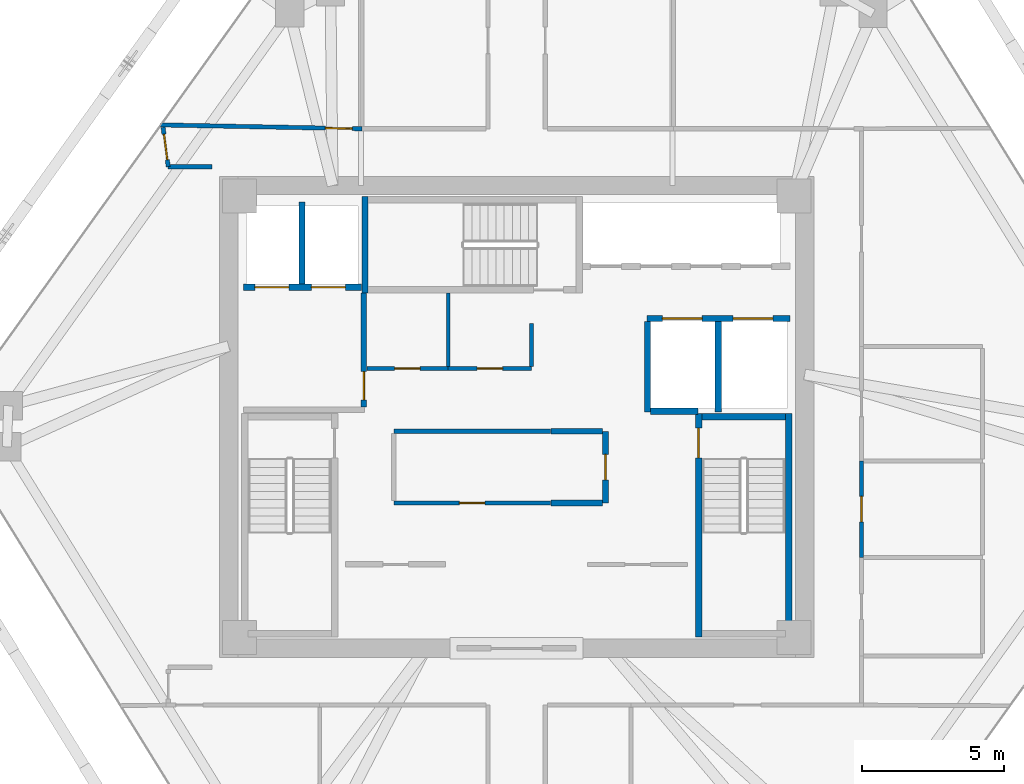
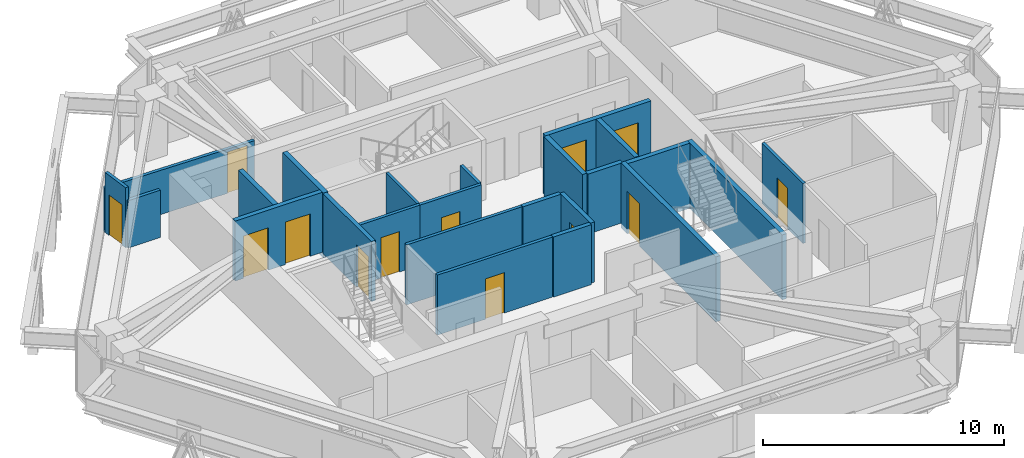
# One storey, part 11 of 14: 24 walls, 13 doors, 13 openings.
"""IFC4 building model written with IfcOpenShell, lengths in metres."""

from ifc_helpers import new_model, si_unit, direction, frame, frame_2d, origin, place, context, subcontext, project, spatial, rectangle, extrude, source, transform, mapped, material, layer, layer_set, type_object, type_shapes, element, fill, save


model = new_model("IFC4")

# Units and contexts
model_context = context("Model", 3, precision=1e-05, world=origin(), true_north=direction((0.0, 1.0)))
body_context = subcontext(model_context, "Body", "Model", "MODEL_VIEW")
ifc_project = project(units=[si_unit("LENGTHUNIT", "METRE"), si_unit("AREAUNIT", "SQUARE_METRE"), si_unit("VOLUMEUNIT", "CUBIC_METRE"), si_unit("PLANEANGLEUNIT", "RADIAN"), si_unit("MASSUNIT", "GRAM", prefix="KILO")], contexts=[model_context])

# Site, building, storey
site_placement = place(None, origin())
site = spatial("IfcSite", under=ifc_project, at=site_placement, CompositionType="ELEMENT")
building_placement = place(site_placement, origin())
building = spatial("IfcBuilding", under=site, at=building_placement, Name="Durnholm Broadcast Tower", CompositionType="ELEMENT")
storey_placement = place(building_placement, frame((0.0, 0.0, 187.0)))
storey = spatial("IfcBuildingStorey", under=building, at=storey_placement, Name="L51", CompositionType="ELEMENT", Elevation=187.0)

# Wall, opening, door
ifc_material_1 = material(Name="Fire-Rated Gypsum Shaftwall", Category="concrete")
ifc_layer_1 = layer(ifc_material_1, 0.199951171875)
ifc_layer_set_1 = layer_set([ifc_layer_1], Name="Fire-Rated Gypsum Shaftwall")
wall_type_1 = type_object("IfcWallType", Name="WALL-LOB-200", PredefinedType="SOLIDWALL", material=ifc_layer_set_1)
wall_1_placement = place(storey_placement, frame((-5.39990234375, 0.35400390625, 0.0), z_axis=(0.0, 0.0, 1.0), x_axis=(0.0, 1.0, 0.0)))
wall_1 = element("IfcWall", 1, at=wall_1_placement, inside=storey, type_object=wall_type_1, Name="L51 Fire Service Access Elevator lobby east fire wall", PredefinedType="SOLIDWALL", context=body_context, shape_type="SweptSolid", body=[
    extrude(rectangle(XDim=4.02587890625, YDim=0.199951171875, at=frame_2d((2.012939453125, 0.0))), origin(), (0.0, 0.0, 1.0), 3.044921875),
])
opening_1_placement = place(wall_1_placement, frame((0.24609375, 0.0, 0.0)))
opening_1 = element("IfcOpeningElement", 2, at=opening_1_placement, cuts=wall_1, Name="Opening DL-60R", PredefinedType="OPENING", context=body_context, shape_type="SweptSolid", body=[
    extrude(rectangle(XDim=1.0, YDim=2.14990234375, at=frame_2d((0.5, 1.074951171875))), frame((0.0, 0.10986328125, 0.0), z_axis=(0.0, -1.0, 0.0), x_axis=(1.0, 0.0, 0.0)), (0.0, 0.0, 1.0), 0.219970703125),
])
ifc_material_2 = material(Name="Fire-Rated Timber/Steel Door", Category="steel")
ifc_layer_2 = layer(ifc_material_2, 0.050048828125)
ifc_layer_set_2 = layer_set([ifc_layer_2], Name="Fire-Rated Timber/Steel Door")
door_type_1 = type_object("IfcDoorType", Name="DOOR-LOB-FD60-R", OperationType="NOTDEFINED", PredefinedType="DOOR", material=ifc_layer_set_2)
shared_shape_1 = source(origin(), body_context, "Body", "SweptSolid", [
    extrude(rectangle(XDim=1.0, YDim=2.14990234375, at=frame_2d((0.5, 1.074951171875))), frame((0.0, 0.02490234375, 0.0), z_axis=(0.0, -1.0, 0.0), x_axis=(1.0, 0.0, 0.0)), (0.0, 0.0, 1.0), 0.050048828125),
])
type_shapes(door_type_1, [shared_shape_1])
door_1_placement = place(opening_1_placement, origin())
door_1 = element("IfcDoor", 3, at=door_1_placement, inside=storey, type_object=door_type_1, Name="L51 Fire Service Access Elevator lobby smoke door", OperationType="SINGLE_SWING_RIGHT", OverallHeight=2.14990234375, OverallWidth=1.0, PredefinedType="DOOR", context=body_context, shape_type="MappedRepresentation", body=[
    mapped(shared_shape_1, transform((0.0, 0.0, 0.0), x_axis=(1.0, 0.0, 0.0), y_axis=(0.0, 1.0, 0.0), z_axis=(0.0, 0.0, 1.0), scale=1.0)),
])
fill(opening_1, door_1)

wall_2_placement = place(storey_placement, frame((3.139892578125, -0.510009765625, 0.0), z_axis=(0.0, 0.0, 1.0), x_axis=(0.0, -1.0, 0.0)))
wall_2 = element("IfcWall", 4, at=wall_2_placement, inside=storey, type_object=wall_type_1, Name="L51 Core IT Telecom Room corridor partition", PredefinedType="SOLIDWALL", context=body_context, shape_type="SweptSolid", body=[
    extrude(rectangle(XDim=2.530029296875, YDim=0.199951171875, at=frame_2d((1.26513671875, 0.0))), origin(), (0.0, 0.0, 1.0), 3.044921875),
])
opening_2_placement = place(wall_2_placement, frame((0.81494140625, 0.0, 0.0)))
opening_2 = element("IfcOpeningElement", 5, at=opening_2_placement, cuts=wall_2, Name="Opening DC-60L", PredefinedType="OPENING", context=body_context, shape_type="SweptSolid", body=[
    extrude(rectangle(XDim=0.89990234375, YDim=2.050048828125, at=frame_2d((0.449951171875, 1.02490234375))), frame((0.0, 0.10986328125, 0.0), z_axis=(0.0, -1.0, 0.0), x_axis=(1.0, 0.0, 0.0)), (0.0, 0.0, 1.0), 0.219970703125),
])
ifc_material_3 = material(Name="Fire-Rated Core Service Door", Category="steel")
ifc_layer_3 = layer(ifc_material_3, 0.050048828125)
ifc_layer_set_3 = layer_set([ifc_layer_3], Name="Fire-Rated Core Service Door")
door_type_2 = type_object("IfcDoorType", Name="DOOR-CORE-FD60-L", OperationType="NOTDEFINED", PredefinedType="DOOR", material=ifc_layer_set_3)
shared_shape_2 = source(origin(), body_context, "Body", "SweptSolid", [
    extrude(rectangle(XDim=0.89990234375, YDim=2.050048828125, at=frame_2d((0.449951171875, 1.02490234375))), frame((0.0, 0.02490234375, 0.0), z_axis=(0.0, -1.0, 0.0), x_axis=(1.0, 0.0, 0.0)), (0.0, 0.0, 1.0), 0.050048828125),
])
type_shapes(door_type_2, [shared_shape_2])
door_2_placement = place(opening_2_placement, origin())
door_2 = element("IfcDoor", 6, at=door_2_placement, inside=storey, type_object=door_type_2, Name="L51 Core IT Telecom Room entrance door", OperationType="SINGLE_SWING_LEFT", OverallHeight=2.050048828125, OverallWidth=0.89990234375, PredefinedType="DOOR", context=body_context, shape_type="MappedRepresentation", body=[
    mapped(shared_shape_2, transform((0.0, 0.0, 0.0), x_axis=(1.0, 0.0, 0.0), y_axis=(0.0, 1.0, 0.0), z_axis=(0.0, 0.0, 1.0), scale=1.0)),
])
fill(opening_2, door_2)

# Walls
for number, where, z_axis, x_axis, name in (
    (7, (3.035888671875, -3.0400390625, 0.0), (0.0, 0.0, 1.0), (-1.0, 0.0, 0.0), "L51 Core IT Telecom Room corridor partition"),
    (8, (1.2099609375, -0.510009765625, 0.0), (0.0, 0.0, 1.0), (1.0, 0.0, 0.0), "L51 Core IT Telecom Room corridor partition"),
):
    element("IfcWall", number, at=place(storey_placement, frame(where, z_axis=z_axis, x_axis=x_axis)), inside=storey, type_object=wall_type_1, Name=name, PredefinedType="SOLIDWALL", context=body_context, shape_type="SweptSolid", body=[
        extrude(rectangle(XDim=1.825927734375, YDim=0.199951171875, at=frame_2d((0.9130859375, 0.0))), origin(), (0.0, 0.0, 1.0), 3.044921875),
    ])
ifc_material_4 = material(Name="Gypsum Metal Stud Partition", Category="concrete")
ifc_layer_4 = layer(ifc_material_4, 0.135009765625)
ifc_layer_set_4 = layer_set([ifc_layer_4], Name="Gypsum Metal Stud Partition")
wall_type_2 = type_object("IfcWallType", Name="WALL-PART-135", PredefinedType="PARTITIONING", material=ifc_layer_set_4)
wall_3_placement = place(storey_placement, frame((-2.419921875, 4.375, 0.0), z_axis=(0.0, 0.0, 1.0), x_axis=(0.0, -1.0, 0.0)))
element("IfcWall", 9, at=wall_3_placement, inside=storey, type_object=wall_type_2, Name="L51 room dividing partition 5.6", PredefinedType="PARTITIONING", context=body_context, shape_type="SweptSolid", body=[
    extrude(rectangle(XDim=2.5859375, YDim=0.135009765625, at=frame_2d((1.29296875, 0.0))), origin(), (0.0, 0.0, 1.0), 3.044921875),
])

# Wall, opening, door
ifc_material_5 = material(Name="Acoustic Gypsum Stud Partition", Category="concrete")
ifc_layer_5 = layer(ifc_material_5, 0.14990234375)
ifc_layer_set_5 = layer_set([ifc_layer_5], Name="Acoustic Gypsum Stud Partition")
wall_type_3 = type_object("IfcWallType", Name="WALL-PART-150", PredefinedType="PARTITIONING", material=ifc_layer_set_5)
wall_4_placement = place(storey_placement, frame((1.18994140625, -3.0400390625, 0.0), z_axis=(0.0, 0.0, 1.0), x_axis=(-1.0, 0.0, 0.0)))
wall_4 = element("IfcWall", 10, at=wall_4_placement, inside=storey, type_object=wall_type_3, Name="L51 Broadcast Equipment Store corridor partition", PredefinedType="PARTITIONING", context=body_context, shape_type="SweptSolid", body=[
    extrude(rectangle(XDim=5.530029296875, YDim=0.14990234375, at=frame_2d((2.76513671875, 0.0))), origin(), (0.0, 0.0, 1.0), 3.044921875),
])
opening_3_placement = place(wall_4_placement, frame((2.31494140625, 0.0, 0.0)))
opening_3 = element("IfcOpeningElement", 11, at=opening_3_placement, cuts=wall_4, Name="Opening DC-60R", PredefinedType="OPENING", context=body_context, shape_type="SweptSolid", body=[
    extrude(rectangle(XDim=0.89990234375, YDim=2.050048828125, at=frame_2d((0.449951171875, 1.02490234375))), frame((0.0, 0.0849609375, 0.0), z_axis=(0.0, -1.0, 0.0), x_axis=(1.0, 0.0, 0.0)), (0.0, 0.0, 1.0), 0.169921875),
])
ifc_layer_6 = layer(ifc_material_3, 0.050048828125)
ifc_layer_set_6 = layer_set([ifc_layer_6], Name="Fire-Rated Core Service Door")
door_type_3 = type_object("IfcDoorType", Name="DOOR-CORE-FD60-R", OperationType="NOTDEFINED", PredefinedType="DOOR", material=ifc_layer_set_6)
shared_shape_3 = source(origin(), body_context, "Body", "SweptSolid", [
    extrude(rectangle(XDim=0.89990234375, YDim=2.050048828125, at=frame_2d((0.449951171875, 1.02490234375))), frame((0.0, 0.02490234375, 0.0), z_axis=(0.0, -1.0, 0.0), x_axis=(1.0, 0.0, 0.0)), (0.0, 0.0, 1.0), 0.050048828125),
])
type_shapes(door_type_3, [shared_shape_3])
door_3_placement = place(opening_3_placement, origin())
door_3 = element("IfcDoor", 12, at=door_3_placement, inside=storey, type_object=door_type_3, Name="L51 Broadcast Equipment Store entrance door", OperationType="SINGLE_SWING_RIGHT", OverallHeight=2.050048828125, OverallWidth=0.89990234375, PredefinedType="DOOR", context=body_context, shape_type="MappedRepresentation", body=[
    mapped(shared_shape_3, transform((0.0, 0.0, 0.0), x_axis=(1.0, 0.0, 0.0), y_axis=(0.0, 1.0, 0.0), z_axis=(0.0, 0.0, 1.0), scale=1.0)),
])
fill(opening_3, door_3)

# Wall
wall_5_placement = place(storey_placement, frame((-4.340087890625, -0.510009765625, 0.0), z_axis=(0.0, 0.0, 1.0), x_axis=(1.0, 0.0, 0.0)))
element("IfcWall", 13, at=wall_5_placement, inside=storey, type_object=wall_type_3, Name="L51 Broadcast Equipment Store corridor partition", PredefinedType="PARTITIONING", context=body_context, shape_type="SweptSolid", body=[
    extrude(rectangle(XDim=5.530029296875, YDim=0.14990234375, at=frame_2d((2.76513671875, 0.0))), origin(), (0.0, 0.0, 1.0), 3.044921875),
])

# Wall, opening, door
wall_6_placement = place(storey_placement, frame((-2.419921875, 1.7099609375, 0.0), z_axis=(0.0, 0.0, 1.0), x_axis=(-1.0, 0.0, 0.0)))
wall_6 = element("IfcWall", 14, at=wall_6_placement, inside=storey, type_object=wall_type_3, Name="L51 Core Equipment Store corridor partition", PredefinedType="PARTITIONING", context=body_context, shape_type="SweptSolid", body=[
    extrude(rectangle(XDim=2.8759765625, YDim=0.14990234375, at=frame_2d((1.43798828125, 0.0))), origin(), (0.0, 0.0, 1.0), 3.044921875),
])
opening_4_placement = place(wall_6_placement, frame((0.988037109375, 0.0, 0.0)))
opening_4 = element("IfcOpeningElement", 15, at=opening_4_placement, cuts=wall_6, Name="Opening DC-60R", PredefinedType="OPENING", context=body_context, shape_type="SweptSolid", body=[
    extrude(rectangle(XDim=0.89990234375, YDim=2.050048828125, at=frame_2d((0.449951171875, 1.02490234375))), frame((0.0, 0.0849609375, 0.0), z_axis=(0.0, -1.0, 0.0), x_axis=(1.0, 0.0, 0.0)), (0.0, 0.0, 1.0), 0.169921875),
])
door_4_placement = place(opening_4_placement, origin())
door_4 = element("IfcDoor", 16, at=door_4_placement, inside=storey, type_object=door_type_3, Name="L51 Core Equipment Store entrance door", OperationType="SINGLE_SWING_RIGHT", OverallHeight=2.050048828125, OverallWidth=0.89990234375, PredefinedType="DOOR", context=body_context, shape_type="MappedRepresentation", body=[
    mapped(shared_shape_3, transform((0.0, 0.0, 0.0), x_axis=(1.0, 0.0, 0.0), y_axis=(0.0, 1.0, 0.0), z_axis=(0.0, 0.0, 1.0), scale=1.0)),
])
fill(opening_4, door_4)

wall_7_placement = place(storey_placement, frame((0.52001953125, 1.7099609375, 0.0), z_axis=(0.0, 0.0, 1.0), x_axis=(-1.0, 0.0, 0.0)))
wall_7 = element("IfcWall", 17, at=wall_7_placement, inside=storey, type_object=wall_type_3, Name="L51 Core Mail and Supply Room corridor partition", PredefinedType="PARTITIONING", context=body_context, shape_type="SweptSolid", body=[
    extrude(rectangle(XDim=2.93994140625, YDim=0.14990234375, at=frame_2d((1.469970703125, 0.0))), origin(), (0.0, 0.0, 1.0), 3.044921875),
])
opening_5_placement = place(wall_7_placement, frame((1.02001953125, 0.0, 0.0)))
opening_5 = element("IfcOpeningElement", 18, at=opening_5_placement, cuts=wall_7, Name="Opening DC-60L", PredefinedType="OPENING", context=body_context, shape_type="SweptSolid", body=[
    extrude(rectangle(XDim=0.89990234375, YDim=2.050048828125, at=frame_2d((0.449951171875, 1.02490234375))), frame((0.0, 0.0849609375, 0.0), z_axis=(0.0, -1.0, 0.0), x_axis=(1.0, 0.0, 0.0)), (0.0, 0.0, 1.0), 0.169921875),
])
door_5_placement = place(opening_5_placement, origin())
door_5 = element("IfcDoor", 19, at=door_5_placement, inside=storey, type_object=door_type_2, Name="L51 Core Mail and Supply Room entrance door", OperationType="SINGLE_SWING_LEFT", OverallHeight=2.050048828125, OverallWidth=0.89990234375, PredefinedType="DOOR", context=body_context, shape_type="MappedRepresentation", body=[
    mapped(shared_shape_2, transform((0.0, 0.0, 0.0), x_axis=(1.0, 0.0, 0.0), y_axis=(0.0, 1.0, 0.0), z_axis=(0.0, 0.0, 1.0), scale=1.0)),
])
fill(opening_5, door_5)

# Wall
wall_8_placement = place(storey_placement, frame((0.52001953125, 3.300048828125, 0.0), z_axis=(0.0, 0.0, 1.0), x_axis=(0.0, -1.0, 0.0)))
element("IfcWall", 20, at=wall_8_placement, inside=storey, type_object=wall_type_3, Name="L51 Core Mail and Supply Room corridor partition", PredefinedType="PARTITIONING", context=body_context, shape_type="SweptSolid", body=[
    extrude(rectangle(XDim=1.510986328125, YDim=0.14990234375, at=frame_2d((0.75537109375, 0.0))), origin(), (0.0, 0.0, 1.0), 3.044921875),
])

# Wall, opening, door
wall_9_placement = place(storey_placement, frame((-5.4599609375, 10.179931640625, 0.0), z_axis=(0.0, 0.0, 1.0), x_axis=(-0.99981828266, 0.019063096779, 0.0)))
wall_9 = element("IfcWall", 21, at=wall_9_placement, inside=storey, type_object=wall_type_3, Name="L51 Open Plan Broadcast Workspace 2 corridor partition", PredefinedType="PARTITIONING", context=body_context, shape_type="SweptSolid", body=[
    extrude(rectangle(XDim=7.12060546875, YDim=0.14990234375, at=frame_2d((3.560302734375, 0.0))), origin(), (0.0, 0.0, 1.0), 2.24169921875),
])
opening_6_placement = place(wall_9_placement, frame((0.35009765625, 0.0, 0.0)))
opening_6 = element("IfcOpeningElement", 22, at=opening_6_placement, cuts=wall_9, Name="Opening DR-95L", PredefinedType="OPENING", context=body_context, shape_type="SweptSolid", body=[
    extrude(rectangle(XDim=0.949951171875, YDim=2.10009765625, at=frame_2d((0.47509765625, 1.050048828125))), frame((0.0, 0.0849609375, 0.0), z_axis=(0.0, -1.0, 0.0), x_axis=(1.0, 0.0, 0.0)), (0.0, 0.0, 1.0), 0.169921875),
])
ifc_material_6 = material(Name="Acoustic Oak Veneer Timber Door", Category="wood")
ifc_layer_7 = layer(ifc_material_6, 0.050048828125)
ifc_layer_set_7 = layer_set([ifc_layer_7], Name="Acoustic Oak Veneer Timber Door")
door_type_4 = type_object("IfcDoorType", Name="DOOR-RM-950L", OperationType="NOTDEFINED", PredefinedType="DOOR", material=ifc_layer_set_7)
shared_shape_4 = source(origin(), body_context, "Body", "SweptSolid", [
    extrude(rectangle(XDim=0.949951171875, YDim=2.10009765625, at=frame_2d((0.47509765625, 1.050048828125))), frame((0.0, 0.02490234375, 0.0), z_axis=(0.0, -1.0, 0.0), x_axis=(1.0, 0.0, 0.0)), (0.0, 0.0, 1.0), 0.050048828125),
])
type_shapes(door_type_4, [shared_shape_4])
door_6_placement = place(opening_6_placement, origin())
door_6 = element("IfcDoor", 23, at=door_6_placement, inside=storey, type_object=door_type_4, Name="L51 Open Plan Broadcast Workspace 2 entrance door", OperationType="SINGLE_SWING_LEFT", OverallHeight=2.10009765625, OverallWidth=0.949951171875, PredefinedType="DOOR", context=body_context, shape_type="MappedRepresentation", body=[
    mapped(shared_shape_4, transform((0.0, 0.0, 0.0), x_axis=(1.0, 0.0, 0.0), y_axis=(0.0, 1.0, 0.0), z_axis=(0.0, 0.0, 1.0), scale=1.0)),
])
fill(opening_6, door_6)

# Wall
wall_10_placement = place(storey_placement, frame((-12.31005859375, 8.840087890625, 0.0), z_axis=(0.0, 0.0, 1.0), x_axis=(1.0, 0.0, 0.0)))
element("IfcWall", 24, at=wall_10_placement, inside=storey, type_object=wall_type_3, Name="L51 Streaming Auditorium corridor partition", PredefinedType="PARTITIONING", context=body_context, shape_type="SweptSolid", body=[
    extrude(rectangle(XDim=1.550048828125, YDim=0.14990234375, at=frame_2d((0.77490234375, 0.0))), origin(), (0.0, 0.0, 1.0), 2.398681640625),
])

# Wall, opening, door
wall_11_placement = place(storey_placement, frame((-12.491943359375, 10.23486328125, 0.0), z_axis=(0.0, 0.0, 1.0), x_axis=(0.129309502928, -0.991604282187, 0.0)))
wall_11 = element("IfcWall", 25, at=wall_11_placement, inside=storey, type_object=wall_type_3, Name="L51 Streaming Auditorium corridor partition", PredefinedType="PARTITIONING", context=body_context, shape_type="SweptSolid", body=[
    extrude(rectangle(XDim=1.406494140625, YDim=0.14990234375, at=frame_2d((0.703125, 0.0))), origin(), (0.0, 0.0, 1.0), 3.044921875),
])
opening_7_placement = place(wall_11_placement, frame((0.25341796875, 0.0, 0.0)))
opening_7 = element("IfcOpeningElement", 26, at=opening_7_placement, cuts=wall_11, Name="Opening DW-90R", PredefinedType="OPENING", context=body_context, shape_type="SweptSolid", body=[
    extrude(rectangle(XDim=0.89990234375, YDim=2.050048828125, at=frame_2d((0.449951171875, 1.02490234375))), frame((0.0, 0.0849609375, 0.0), z_axis=(0.0, -1.0, 0.0), x_axis=(1.0, 0.0, 0.0)), (0.0, 0.0, 1.0), 0.169921875),
])
ifc_material_7 = material(Name="Laminate Restroom Door", Category="steel")
ifc_layer_8 = layer(ifc_material_7, 0.050048828125)
ifc_layer_set_8 = layer_set([ifc_layer_8], Name="Laminate Restroom Door")
door_type_5 = type_object("IfcDoorType", Name="DOOR-WC-900R", OperationType="NOTDEFINED", PredefinedType="DOOR", material=ifc_layer_set_8)
shared_shape_5 = source(origin(), body_context, "Body", "SweptSolid", [
    extrude(rectangle(XDim=0.89990234375, YDim=2.050048828125, at=frame_2d((0.449951171875, 1.02490234375))), frame((0.0, 0.02490234375, 0.0), z_axis=(0.0, -1.0, 0.0), x_axis=(1.0, 0.0, 0.0)), (0.0, 0.0, 1.0), 0.050048828125),
])
type_shapes(door_type_5, [shared_shape_5])
door_7_placement = place(opening_7_placement, origin())
door_7 = element("IfcDoor", 27, at=door_7_placement, inside=storey, type_object=door_type_5, Name="L51 Streaming Auditorium entrance door", OperationType="SINGLE_SWING_RIGHT", OverallHeight=2.050048828125, OverallWidth=0.89990234375, PredefinedType="DOOR", context=body_context, shape_type="MappedRepresentation", body=[
    mapped(shared_shape_5, transform((0.0, 0.0, 0.0), x_axis=(1.0, 0.0, 0.0), y_axis=(0.0, 1.0, 0.0), z_axis=(0.0, 0.0, 1.0), scale=1.0)),
])
fill(opening_7, door_7)

# Wall, openings, doors
ifc_material_8 = material(Name="Concrete Blockwork C30/37", Category="masonry")
ifc_layer_9 = layer(ifc_material_8, 0.219970703125)
ifc_layer_set_9 = layer_set([ifc_layer_9], Name="Concrete Blockwork C30/37")
wall_type_4 = type_object("IfcWallType", Name="WALL-SHAFT-220", PredefinedType="SOLIDWALL", material=ifc_layer_set_9)
wall_12_placement = place(storey_placement, frame((-9.64990234375, 4.580078125, 0.0), z_axis=(0.0, 0.0, 1.0), x_axis=(1.0, 0.0, 0.0)))
wall_12 = element("IfcWall", 28, at=wall_12_placement, inside=storey, type_object=wall_type_4, Name="L51 FSAE hoistway front fire wall", PredefinedType="SOLIDWALL", context=body_context, shape_type="SweptSolid", body=[
    extrude(rectangle(XDim=4.1748046875, YDim=0.219970703125, at=frame_2d((2.08740234375, 0.0))), origin(), (0.0, 0.0, 1.0), 3.044921875),
])
opening_8_placement = place(wall_12_placement, frame((0.39990234375, 0.0, 0.0)))
opening_8 = element("IfcOpeningElement", 29, at=opening_8_placement, cuts=wall_12, Name="Opening LD-FSAE-2", PredefinedType="OPENING", context=body_context, shape_type="SweptSolid", body=[
    extrude(rectangle(XDim=1.199951171875, YDim=2.14990234375, at=frame_2d((0.60009765625, 1.074951171875))), frame((0.0, 0.1201171875, 0.0), z_axis=(0.0, -1.0, 0.0), x_axis=(1.0, 0.0, 0.0)), (0.0, 0.0, 1.0), 0.239990234375),
])
opening_9_placement = place(wall_12_placement, frame((2.39990234375, 0.0, 0.0)))
opening_9 = element("IfcOpeningElement", 30, at=opening_9_placement, cuts=wall_12, Name="Opening LD-FSAE-1", PredefinedType="OPENING", context=body_context, shape_type="SweptSolid", body=[
    extrude(rectangle(XDim=1.199951171875, YDim=2.14990234375, at=frame_2d((0.60009765625, 1.074951171875))), frame((0.0, 0.1201171875, 0.0), z_axis=(0.0, -1.0, 0.0), x_axis=(1.0, 0.0, 0.0)), (0.0, 0.0, 1.0), 0.239990234375),
])
ifc_material_9 = material(Name="Fire Service Access Sliding Landing Door", Category="steel")
ifc_layer_10 = layer(ifc_material_9, 0.050048828125)
ifc_layer_set_10 = layer_set([ifc_layer_10], Name="Fire Service Access Sliding Landing Door")
door_type_6 = type_object("IfcDoorType", Name="DOOR-LIFT-FSAE", OperationType="DOUBLE_DOOR_SLIDING", PredefinedType="DOOR", material=ifc_layer_set_10)
shared_shape_6 = source(origin(), body_context, "Body", "SweptSolid", [
    extrude(rectangle(XDim=1.199951171875, YDim=2.14990234375, at=frame_2d((0.60009765625, 1.074951171875))), frame((0.0, 0.02490234375, 0.0), z_axis=(0.0, -1.0, 0.0), x_axis=(1.0, 0.0, 0.0)), (0.0, 0.0, 1.0), 0.050048828125),
])
type_shapes(door_type_6, [shared_shape_6])
door_8_placement = place(opening_8_placement, origin())
door_8 = element("IfcDoor", 31, at=door_8_placement, inside=storey, type_object=door_type_6, Name="L51 Fire Service Access Elevator FSAE-2 sliding landing door", OperationType="DOUBLE_DOOR_SLIDING", OverallHeight=2.14990234375, OverallWidth=1.199951171875, PredefinedType="DOOR", context=body_context, shape_type="MappedRepresentation", body=[
    mapped(shared_shape_6, transform((0.0, 0.0, 0.0), x_axis=(1.0, 0.0, 0.0), y_axis=(0.0, 1.0, 0.0), z_axis=(0.0, 0.0, 1.0), scale=1.0)),
])
fill(opening_8, door_8)
door_9_placement = place(opening_9_placement, origin())
door_9 = element("IfcDoor", 32, at=door_9_placement, inside=storey, type_object=door_type_6, Name="L51 Fire Service Access Elevator FSAE-1 sliding landing door", OperationType="DOUBLE_DOOR_SLIDING", OverallHeight=2.14990234375, OverallWidth=1.199951171875, PredefinedType="DOOR", context=body_context, shape_type="MappedRepresentation", body=[
    mapped(shared_shape_6, transform((0.0, 0.0, 0.0), x_axis=(1.0, 0.0, 0.0), y_axis=(0.0, 1.0, 0.0), z_axis=(0.0, 0.0, 1.0), scale=1.0)),
])
fill(opening_9, door_9)

# Wall
wall_13_placement = place(storey_placement, frame((-7.580078125, 4.694091796875, 0.0), z_axis=(0.0, 0.0, 1.0), x_axis=(0.0, 1.0, 0.0)))
element("IfcWall", 33, at=wall_13_placement, inside=storey, type_object=wall_type_4, Name="L51 FSAE shaft divider wall", PredefinedType="SOLIDWALL", context=body_context, shape_type="SweptSolid", body=[
    extrude(rectangle(XDim=2.906005859375, YDim=0.219970703125, at=frame_2d((1.453125, 0.0))), origin(), (0.0, 0.0, 1.0), 3.044921875),
])

# Wall, openings, doors
wall_14_placement = place(storey_placement, frame((4.60009765625, 3.47998046875, 0.0), z_axis=(0.0, 0.0, 1.0), x_axis=(1.0, 0.0, 0.0)))
wall_14 = element("IfcWall", 34, at=wall_14_placement, inside=storey, type_object=wall_type_4, Name="L51 freight service lifts north front wall", PredefinedType="SOLIDWALL", context=body_context, shape_type="SweptSolid", body=[
    extrude(rectangle(XDim=5.0498046875, YDim=0.219970703125, at=frame_2d((2.52490234375, 0.0))), origin(), (0.0, 0.0, 1.0), 3.044921875),
])
opening_10_placement = place(wall_14_placement, frame((0.550048828125, 0.0, 0.0)))
opening_10 = element("IfcOpeningElement", 35, at=opening_10_placement, cuts=wall_14, Name="Opening LD-SVL-2", PredefinedType="OPENING", context=body_context, shape_type="SweptSolid", body=[
    extrude(rectangle(XDim=1.39990234375, YDim=2.14990234375, at=frame_2d((0.699951171875, 1.074951171875))), frame((0.0, 0.1201171875, 0.0), z_axis=(0.0, -1.0, 0.0), x_axis=(1.0, 0.0, 0.0)), (0.0, 0.0, 1.0), 0.239990234375),
])
opening_11_placement = place(wall_14_placement, frame((3.050048828125, 0.0, 0.0)))
opening_11 = element("IfcOpeningElement", 36, at=opening_11_placement, cuts=wall_14, Name="Opening LD-SVL-1", PredefinedType="OPENING", context=body_context, shape_type="SweptSolid", body=[
    extrude(rectangle(XDim=1.39990234375, YDim=2.14990234375, at=frame_2d((0.699951171875, 1.074951171875))), frame((0.0, 0.1201171875, 0.0), z_axis=(0.0, -1.0, 0.0), x_axis=(1.0, 0.0, 0.0)), (0.0, 0.0, 1.0), 0.239990234375),
])
ifc_material_10 = material(Name="Freight Elevator Bi-Parting Sliding Landing Door", Category="steel")
ifc_layer_11 = layer(ifc_material_10, 0.050048828125)
ifc_layer_set_11 = layer_set([ifc_layer_11], Name="Freight Elevator Bi-Parting Sliding Landing Door")
door_type_7 = type_object("IfcDoorType", Name="DOOR-LIFT-SVL", OperationType="DOUBLE_DOOR_SLIDING", PredefinedType="DOOR", material=ifc_layer_set_11)
shared_shape_7 = source(origin(), body_context, "Body", "SweptSolid", [
    extrude(rectangle(XDim=1.39990234375, YDim=2.14990234375, at=frame_2d((0.699951171875, 1.074951171875))), frame((0.0, 0.02490234375, 0.0), z_axis=(0.0, -1.0, 0.0), x_axis=(1.0, 0.0, 0.0)), (0.0, 0.0, 1.0), 0.050048828125),
])
type_shapes(door_type_7, [shared_shape_7])
door_10_placement = place(opening_10_placement, origin())
door_10 = element("IfcDoor", 37, at=door_10_placement, inside=storey, type_object=door_type_7, Name="L51 freight service elevator SVL-2 sliding landing door", OperationType="DOUBLE_DOOR_SLIDING", OverallHeight=2.14990234375, OverallWidth=1.39990234375, PredefinedType="DOOR", context=body_context, shape_type="MappedRepresentation", body=[
    mapped(shared_shape_7, transform((0.0, 0.0, 0.0), x_axis=(1.0, 0.0, 0.0), y_axis=(0.0, 1.0, 0.0), z_axis=(0.0, 0.0, 1.0), scale=1.0)),
])
fill(opening_10, door_10)
door_11_placement = place(opening_11_placement, origin())
door_11 = element("IfcDoor", 38, at=door_11_placement, inside=storey, type_object=door_type_7, Name="L51 freight service elevator SVL-1 sliding landing door", OperationType="DOUBLE_DOOR_SLIDING", OverallHeight=2.14990234375, OverallWidth=1.39990234375, PredefinedType="DOOR", context=body_context, shape_type="MappedRepresentation", body=[
    mapped(shared_shape_7, transform((0.0, 0.0, 0.0), x_axis=(1.0, 0.0, 0.0), y_axis=(0.0, 1.0, 0.0), z_axis=(0.0, 0.0, 1.0), scale=1.0)),
])
fill(opening_11, door_11)

# Walls
for number, where, z_axis, x_axis, name in (
    (39, (4.6201171875, 0.179931640625, 0.0), (0.0, 0.0, 1.0), (0.0, 1.0, 0.0), "L51 freight service lift SVL-2 west wall"),
    (40, (7.1201171875, 0.179931640625, 0.0), (0.0, 0.0, 1.0), (0.0, 1.0, 0.0), "L51 freight service lifts divider wall"),
):
    element("IfcWall", number, at=place(storey_placement, frame(where, z_axis=z_axis, x_axis=x_axis)), inside=storey, type_object=wall_type_4, Name=name, PredefinedType="SOLIDWALL", context=body_context, shape_type="SweptSolid", body=[
        extrude(rectangle(XDim=3.18603515625, YDim=0.219970703125, at=frame_2d((1.593017578125, 0.0))), origin(), (0.0, 0.0, 1.0), 3.044921875),
    ])
wall_15_placement = place(storey_placement, frame((4.73388671875, 0.199951171875, 0.0), z_axis=(0.0, 0.0, 1.0), x_axis=(1.0, 0.0, 0.0)))
element("IfcWall", 41, at=wall_15_placement, inside=storey, type_object=wall_type_4, Name="L51 freight service lift SVL-2 south wall", PredefinedType="SOLIDWALL", context=body_context, shape_type="SweptSolid", body=[
    extrude(rectangle(XDim=1.666015625, YDim=0.219970703125, at=frame_2d((0.8330078125, 0.0))), origin(), (0.0, 0.0, 1.0), 3.044921875),
])
ifc_material_11 = material(Name="Concrete C50/60", Category="concrete")
ifc_layer_12 = layer(ifc_material_11, 0.219970703125)
ifc_layer_set_12 = layer_set([ifc_layer_12], Name="Concrete C50/60")
wall_type_5 = type_object("IfcWallType", Name="WALL-SW-220", PredefinedType="SHEAR", material=ifc_layer_set_12)
wall_16_placement = place(storey_placement, frame((9.610107421875, -7.77001953125, -0.239990234375), z_axis=(0.0, 0.0, 1.0), x_axis=(0.0, 1.0, 0.0)))
element("IfcWall", 42, at=wall_16_placement, inside=storey, type_object=wall_type_5, Name="L51 stair ST-2 structural shaft wall E", PredefinedType="SHEAR", context=body_context, shape_type="SweptSolid", body=[
    extrude(rectangle(XDim=7.89013671875, YDim=0.219970703125, at=frame_2d((3.945068359375, 0.0))), origin(), (0.0, 0.0, 1.0), 3.300048828125),
])

# Wall, opening, door
wall_17_placement = place(storey_placement, frame((6.429931640625, 0.1201171875, -0.239990234375), z_axis=(0.0, 0.0, 1.0), x_axis=(0.0, -1.0, 0.0)))
wall_17 = element("IfcWall", 43, at=wall_17_placement, inside=storey, type_object=wall_type_5, Name="L51 stair ST-2 structural shaft wall W", PredefinedType="SHEAR", context=body_context, shape_type="SweptSolid", body=[
    extrude(rectangle(XDim=7.89013671875, YDim=0.219970703125, at=frame_2d((3.945068359375, 0.0))), origin(), (0.0, 0.0, 1.0), 3.300048828125),
])
opening_12_placement = place(wall_17_placement, frame((0.52001953125, 0.0, 0.0)))
opening_12 = element("IfcOpeningElement", 44, at=opening_12_placement, cuts=wall_17, Name="Opening DS-90R", PredefinedType="OPENING", context=body_context, shape_type="SweptSolid", body=[
    extrude(rectangle(XDim=1.050048828125, YDim=2.14990234375, at=frame_2d((0.52490234375, 1.074951171875))), frame((0.0, 0.1201171875, 0.0), z_axis=(0.0, -1.0, 0.0), x_axis=(1.0, 0.0, 0.0)), (0.0, 0.0, 1.0), 0.239990234375),
])
ifc_material_12 = material(Name="Fire-Rated Steel Door", Category="steel")
ifc_layer_13 = layer(ifc_material_12, 0.050048828125)
ifc_layer_set_13 = layer_set([ifc_layer_13], Name="Fire-Rated Steel Door")
door_type_8 = type_object("IfcDoorType", Name="DOOR-ST-FD90-R", OperationType="NOTDEFINED", PredefinedType="DOOR", material=ifc_layer_set_13)
shared_shape_8 = source(origin(), body_context, "Body", "SweptSolid", [
    extrude(rectangle(XDim=1.050048828125, YDim=2.14990234375, at=frame_2d((0.52490234375, 1.074951171875))), frame((0.0, 0.02490234375, 0.0), z_axis=(0.0, -1.0, 0.0), x_axis=(1.0, 0.0, 0.0)), (0.0, 0.0, 1.0), 0.050048828125),
])
type_shapes(door_type_8, [shared_shape_8])
door_12_placement = place(opening_12_placement, origin())
door_12 = element("IfcDoor", 45, at=door_12_placement, inside=storey, type_object=door_type_8, Name="L51 exit stair ST-2 fire door", OperationType="SINGLE_SWING_RIGHT", OverallHeight=2.14990234375, OverallWidth=1.050048828125, PredefinedType="DOOR", context=body_context, shape_type="MappedRepresentation", body=[
    mapped(shared_shape_8, transform((0.0, 0.0, 0.0), x_axis=(1.0, 0.0, 0.0), y_axis=(0.0, 1.0, 0.0), z_axis=(0.0, 0.0, 1.0), scale=1.0)),
])
fill(opening_12, door_12)

# Walls
wall_18_placement = place(storey_placement, frame((9.5, 0.010009765625, -0.239990234375), z_axis=(0.0, 0.0, 1.0), x_axis=(-1.0, 0.0, 0.0)))
element("IfcWall", 46, at=wall_18_placement, inside=storey, type_object=wall_type_5, Name="L51 stair ST-2 structural shaft wall N", PredefinedType="SHEAR", context=body_context, shape_type="SweptSolid", body=[
    extrude(rectangle(XDim=2.9599609375, YDim=0.219970703125, at=frame_2d((1.47998046875, 0.0))), origin(), (0.0, 0.0, 1.0), 3.300048828125),
])
wall_19_placement = place(storey_placement, frame((-5.360107421875, 7.780029296875, -0.239990234375), z_axis=(0.0, 0.0, 1.0), x_axis=(0.0, -1.0, 0.0)))
element("IfcWall", 47, at=wall_19_placement, inside=storey, type_object=wall_type_5, Name="L51 stair ST-3 structural shaft wall W", PredefinedType="SHEAR", context=body_context, shape_type="SweptSolid", body=[
    extrude(rectangle(XDim=3.400146484375, YDim=0.219970703125, at=frame_2d((1.7001953125, 0.0))), origin(), (0.0, 0.0, 1.0), 3.300048828125),
])

# Wall, opening, door
ifc_material_13 = material(Name="Moisture-Resistant Tile Partition", Category="concrete")
ifc_layer_14 = layer(ifc_material_13, 0.139892578125)
ifc_layer_set_14 = layer_set([ifc_layer_14], Name="Moisture-Resistant Tile Partition")
wall_type_6 = type_object("IfcWallType", Name="WALL-WC-140", PredefinedType="PARTITIONING", material=ifc_layer_set_14)
wall_20_placement = place(storey_placement, frame((12.179931640625, -4.9599609375, 0.0), z_axis=(0.0, 0.0, 1.0), x_axis=(0.0, 1.0, 0.0)))
wall_20 = element("IfcWall", 48, at=wall_20_placement, inside=storey, type_object=wall_type_6, Name="L51 Women's Restroom corridor partition", PredefinedType="PARTITIONING", context=body_context, shape_type="SweptSolid", body=[
    extrude(rectangle(XDim=3.39990234375, YDim=0.139892578125, at=frame_2d((1.699951171875, 0.0))), origin(), (0.0, 0.0, 1.0), 3.044921875),
])
opening_13_placement = place(wall_20_placement, frame((1.25, 0.0, 0.0)))
opening_13 = element("IfcOpeningElement", 49, at=opening_13_placement, cuts=wall_20, Name="Opening DW-90L", PredefinedType="OPENING", context=body_context, shape_type="SweptSolid", body=[
    extrude(rectangle(XDim=0.89990234375, YDim=2.050048828125, at=frame_2d((0.449951171875, 1.02490234375))), frame((0.0, 0.080078125, 0.0), z_axis=(0.0, -1.0, 0.0), x_axis=(1.0, 0.0, 0.0)), (0.0, 0.0, 1.0), 0.159912109375),
])
ifc_layer_15 = layer(ifc_material_7, 0.050048828125)
ifc_layer_set_15 = layer_set([ifc_layer_15], Name="Laminate Restroom Door")
door_type_9 = type_object("IfcDoorType", Name="DOOR-WC-900L", OperationType="NOTDEFINED", PredefinedType="DOOR", material=ifc_layer_set_15)
shared_shape_9 = source(origin(), body_context, "Body", "SweptSolid", [
    extrude(rectangle(XDim=0.89990234375, YDim=2.050048828125, at=frame_2d((0.449951171875, 1.02490234375))), frame((0.0, 0.02490234375, 0.0), z_axis=(0.0, -1.0, 0.0), x_axis=(1.0, 0.0, 0.0)), (0.0, 0.0, 1.0), 0.050048828125),
])
type_shapes(door_type_9, [shared_shape_9])
door_13_placement = place(opening_13_placement, origin())
door_13 = element("IfcDoor", 50, at=door_13_placement, inside=storey, type_object=door_type_9, Name="L51 Women's Restroom entrance door", OperationType="SINGLE_SWING_LEFT", OverallHeight=2.050048828125, OverallWidth=0.89990234375, PredefinedType="DOOR", context=body_context, shape_type="MappedRepresentation", body=[
    mapped(shared_shape_9, transform((0.0, 0.0, 0.0), x_axis=(1.0, 0.0, 0.0), y_axis=(0.0, 1.0, 0.0), z_axis=(0.0, 0.0, 1.0), scale=1.0)),
])
fill(opening_13, door_13)

save(model, "model.ifc")
